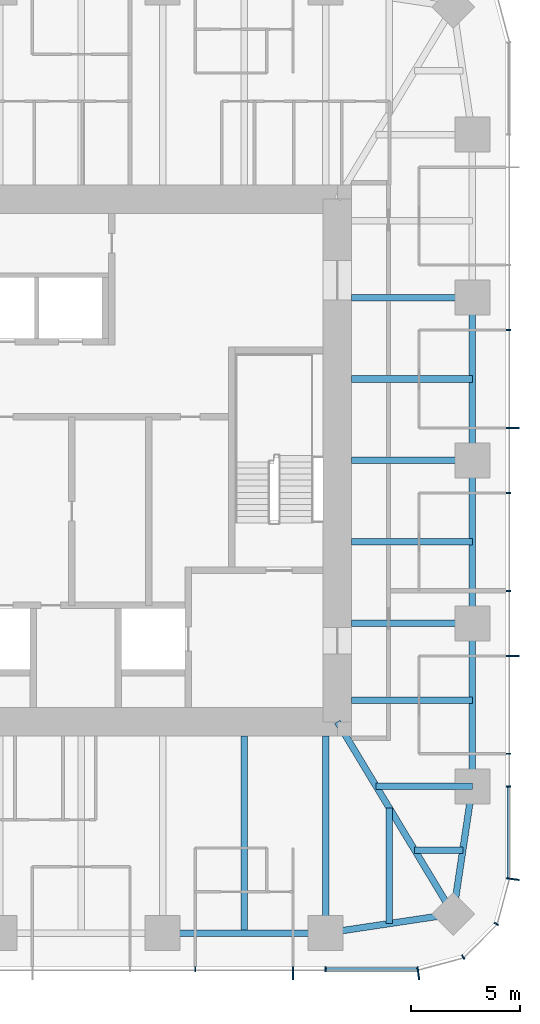
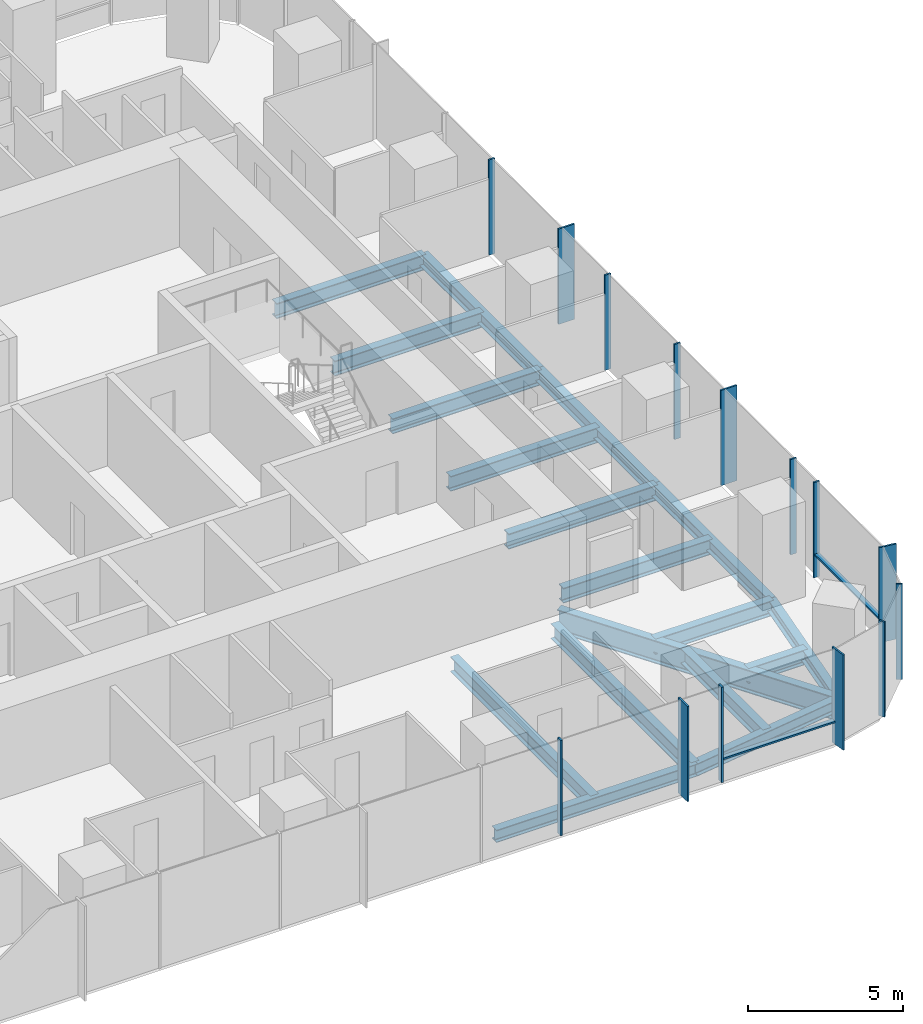
# One storey, part 4 of 12: 18 beams, 16 members, 3 elements without a shape of their own.
"""IFC4 building model written with IfcOpenShell, lengths in metres."""

import ifcopenshell
import ifcopenshell.guid

model = None  # the IFC model being written
_history = None  # IfcOwnerHistory: only IFC2X3 demands one
_inside = {}  # id of a spatial element -> (the spatial element, [elements in it])
_under = {}  # id of a project, library or spatial element -> (it, [spatial elements below it])
_declared = {}  # id of a project -> (the project, [libraries it declares])
_typed = {}  # id of a type object -> (the type object, [elements of that type])
_made_of = {}  # id of a material, layer set ... -> (it, [elements and type objects made of it])


def new_model(schema):
    """Start an empty IFC model of exactly this schema.

    Asked for "IFC4X3", IfcOpenShell would pick the latest addendum, in which some entities
    have other attributes; the version numbers below select the first issue.
    IFC2X3 requires an IfcOwnerHistory on every rooted entity: one is made here for all.
    """
    global model, _history
    if schema == "IFC4X3":
        model = ifcopenshell.file(schema_version=(4, 3, 0, 0))
    else:
        model = ifcopenshell.file(schema=schema)
    _inside.clear()
    _under.clear()
    _declared.clear()
    _typed.clear()
    _made_of.clear()
    _history = None
    if model.schema == "IFC2X3":
        org = make("IfcOrganization", Name="unknown")
        user = make(
            "IfcPersonAndOrganization",
            ThePerson=make("IfcPerson", FamilyName="unknown"),
            TheOrganization=org,
        )
        app = make(
            "IfcApplication",
            ApplicationDeveloper=org,
            Version="unknown",
            ApplicationFullName="unknown",
            ApplicationIdentifier="unknown",
        )
        _history = make(
            "IfcOwnerHistory",
            OwningUser=user,
            OwningApplication=app,
            ChangeAction="ADDED",
            CreationDate=0,
        )
    return model


def make(cls, **values):
    """One entity of the class cls with the attributes given. An attribute that is None is left unset."""
    return model.create_entity(
        cls, **{name: value for name, value in values.items() if value is not None}
    )


def rooted(cls, **values):
    """An entity with a GlobalId (a new one), such as an element, a storey or a relation."""
    return make(cls, GlobalId=ifcopenshell.guid.new(), OwnerHistory=_history, **values)


def si_unit(unit_type, name, prefix=None):
    """IfcSIUnit, for example si_unit("LENGTHUNIT", "METRE", prefix="MILLI")."""
    return make("IfcSIUnit", UnitType=unit_type, Prefix=prefix, Name=name)


def assignment(units):
    """IfcUnitAssignment: the units of a project."""
    return None if units is None else make("IfcUnitAssignment", Units=units)


def point(xyz):
    """IfcCartesianPoint."""
    return None if xyz is None else make("IfcCartesianPoint", Coordinates=xyz)


def direction(xyz):
    """IfcDirection."""
    return None if xyz is None else make("IfcDirection", DirectionRatios=xyz)


def frame(location, z_axis=None, x_axis=None):
    """IfcAxis2Placement3D, a coordinate frame: its origin and axes. An axis left out is left unset."""
    return make(
        "IfcAxis2Placement3D",
        Location=point(location),
        Axis=direction(z_axis),
        RefDirection=direction(x_axis),
    )


def frame_2d(location, x_axis=None):
    """IfcAxis2Placement2D, a coordinate frame in the plane: its origin and x axis."""
    return make(
        "IfcAxis2Placement2D", Location=point(location), RefDirection=direction(x_axis)
    )


def origin():
    """The frame at (0, 0, 0) with its axes left unset."""
    return frame((0.0, 0.0, 0.0))


def origin_2d():
    """The frame at (0, 0) in the plane with its x axis left unset."""
    return frame_2d((0.0, 0.0))


def place(relative_to, where):
    """IfcLocalPlacement: puts the frame where relative to a parent placement (None: the world)."""
    return make(
        "IfcLocalPlacement", PlacementRelTo=relative_to, RelativePlacement=where
    )


def context(
    kind, dimensions, precision=None, world=None, true_north=None, identifier=None
):
    """IfcGeometricRepresentationContext, for example the 3D "Model" context."""
    return make(
        "IfcGeometricRepresentationContext",
        ContextIdentifier=identifier,
        ContextType=kind,
        CoordinateSpaceDimension=dimensions,
        Precision=precision,
        WorldCoordinateSystem=world,
        TrueNorth=true_north,
    )


def subcontext(parent, identifier, kind, view, scale=None):
    """IfcGeometricRepresentationSubContext, for example "Body" below "Model"."""
    return make(
        "IfcGeometricRepresentationSubContext",
        ContextIdentifier=identifier,
        ContextType=kind,
        ParentContext=parent,
        TargetScale=scale,
        TargetView=view,
    )


def project(units=None, contexts=None):
    """IfcProject with its units and contexts."""
    return rooted(
        "IfcProject",
        Name="project",
        RepresentationContexts=contexts,
        UnitsInContext=assignment(units),
    )


def spatial(cls, under=None, at=None, **own):
    """A site, building, storey or space (cls), placed at a placement, below another one or the project."""
    s = rooted(cls, ObjectPlacement=at, **own)
    if under is not None:
        _under.setdefault(under.id(), (under, []))[1].append(s)
    return s


def profile(cls, at=None, kind="AREA", **sizes):
    """A parametric profile (cls). Its sizes go by their IFC names, for example OverallWidth=200.0."""
    return make(cls, ProfileType=kind, Position=at, **sizes)


def rectangle(**sizes):
    """IfcRectangleProfileDef."""
    return profile("IfcRectangleProfileDef", **sizes)


def i_section(**sizes):
    """IfcIShapeProfileDef."""
    return profile("IfcIShapeProfileDef", **sizes)


def extrude(swept, where, along, depth):
    """IfcExtrudedAreaSolid: the profile swept, set in the frame where, extruded along a direction by depth."""
    return make(
        "IfcExtrudedAreaSolid",
        SweptArea=swept,
        Position=where,
        ExtrudedDirection=direction(along),
        Depth=depth,
    )


def shape(context_of_items, identifier, shape_type, items):
    """IfcShapeRepresentation: the items that make up one representation, for example the "Body"."""
    return make(
        "IfcShapeRepresentation",
        ContextOfItems=context_of_items,
        RepresentationIdentifier=identifier,
        RepresentationType=shape_type,
        Items=items,
    )


def material(Name=None, Category=None):
    """IfcMaterial."""
    return make("IfcMaterial", Name=Name, Category=Category)


def material_profile(
    of_material, cross_section, Name=None, Category=None, Priority=None
):
    """IfcMaterialProfile: a cross section and its material."""
    return make(
        "IfcMaterialProfile",
        Name=Name,
        Material=of_material,
        Profile=cross_section,
        Priority=Priority,
        Category=Category,
    )


def profile_set(profiles, Name=None, composite=None):
    """IfcMaterialProfileSet."""
    return make(
        "IfcMaterialProfileSet",
        Name=Name,
        MaterialProfiles=profiles,
        CompositeProfile=composite,
    )


def made_of(thing, what):
    """Note that an element or type object is made of a material, layer set ...; save() writes the relation."""
    if what is not None:
        _made_of.setdefault(what.id(), (what, []))[1].append(thing)
    return thing


def type_object(cls, material=None, **own):
    """A type object (cls), such as IfcWallType, which elements share."""
    return made_of(rooted(cls, **own), material)


def element(
    cls,
    number,
    at=None,
    inside=None,
    cuts=None,
    type_object=None,
    material=None,
    context=None,
    identifier="Body",
    shape_type=None,
    held_by="IfcProductDefinitionShape",
    body=None,
    shapes=None,
    **own,
):
    """One element of the class cls, such as IfcWall. Its Tag is "e" and its number.

    at: its placement. inside: the storey or other place that contains it. cuts: it is an
    opening in that element (IfcRelVoidsElement). A single representation is given by context,
    identifier, shape_type and body (its items); several are given by shapes. held_by: the class
    of the entity that holds the representations. save() writes the other relations.
    """
    e = rooted(cls, Tag="e%d" % number, ObjectPlacement=at, **own)
    if body is not None:
        shapes = [shape(context, identifier, shape_type, body)]
    if shapes is not None:
        e.Representation = make(held_by, Representations=shapes)
    if inside is not None:
        _inside.setdefault(inside.id(), (inside, []))[1].append(e)
    if cuts is not None:
        rooted(
            "IfcRelVoidsElement", RelatingBuildingElement=cuts, RelatedOpeningElement=e
        )
    if type_object is not None:
        _typed.setdefault(type_object.id(), (type_object, []))[1].append(e)
    return made_of(e, material)


def aggregate(whole, parts):
    """IfcRelAggregates: a whole, such as a stair, and the parts it consists of."""
    return rooted("IfcRelAggregates", RelatingObject=whole, RelatedObjects=parts)


def save(model, path):
    """Write the relations noted so far, then the file.

    IfcRelAggregates (storeys below a building ...), IfcRelContainedInSpatialStructure (elements
    in a storey), IfcRelDefinesByType, IfcRelAssociatesMaterial and IfcRelDeclares: one each for
    every whole, place, type object, material and project.
    """
    for whole, parts in _under.values():
        aggregate(whole, parts)
    for where, things in _inside.values():
        rooted(
            "IfcRelContainedInSpatialStructure",
            RelatedElements=things,
            RelatingStructure=where,
        )
    for kind, things in _typed.values():
        rooted("IfcRelDefinesByType", RelatedObjects=things, RelatingType=kind)
    for what, things in _made_of.values():
        rooted("IfcRelAssociatesMaterial", RelatedObjects=things, RelatingMaterial=what)
    for by, libraries in _declared.values():
        rooted("IfcRelDeclares", RelatingContext=by, RelatedDefinitions=libraries)
    model.write(path)


model = new_model("IFC4")

# Units and contexts
model_context = context("Model", 3, precision=1e-05, world=origin(), true_north=direction((0.0, 1.0)))
body_context = subcontext(model_context, "Body", "Model", "MODEL_VIEW")
ifc_project = project(units=[si_unit("LENGTHUNIT", "METRE"), si_unit("AREAUNIT", "SQUARE_METRE"), si_unit("VOLUMEUNIT", "CUBIC_METRE"), si_unit("PLANEANGLEUNIT", "RADIAN"), si_unit("MASSUNIT", "GRAM", prefix="KILO")], contexts=[model_context])

# Site, building, storey
site_placement = place(None, origin())
site = spatial("IfcSite", under=ifc_project, at=site_placement, CompositionType="ELEMENT")
building_placement = place(site_placement, origin())
building = spatial("IfcBuilding", under=site, at=building_placement, Name="Khuree Lantern Residences", CompositionType="ELEMENT")
storey_placement = place(building_placement, frame((0.0, 0.0, 323.25)))
storey = spatial("IfcBuildingStorey", under=building, at=storey_placement, Name="L81", CompositionType="ELEMENT", Elevation=323.25)

# Beams
ifc_material_1 = material(Name="Steel S355", Category="steel")
ifc_material_profile_1 = material_profile(ifc_material_1, i_section(OverallWidth=0.300048828125, OverallDepth=0.590087890625, WebThickness=0.012939453125, FlangeThickness=0.02490234375, FilletRadius=0.027099609375, at=origin_2d()), Name="HE 600 A")
ifc_profile_set_1 = profile_set([ifc_material_profile_1], Name="Steel S355")
beam_type_1 = type_object("IfcBeamType", Name="B-43 SECONDARY BEAM HE 600 A", PredefinedType="BEAM", material=ifc_profile_set_1)
for number, where, z_axis, x_axis, name in (
    (1, (21.699951171875, 3.739990234375, -0.544921875), (-1.0, 0.0, 0.0), (0.0, -1.0, 0.0), "Secondary beam E3"),
    (2, (21.699951171875, -3.739990234375, -0.544921875), (-1.0, 0.0, 0.0), (0.0, -1.0, 0.0), "Secondary beam E4"),
    (3, (21.699951171875, -11.0, -0.544921875), (-1.0, 0.0, 0.0), (0.0, -1.0, 0.0), "Secondary beam E5"),
):
    element("IfcBeam", number, at=place(storey_placement, frame(where, z_axis=z_axis, x_axis=x_axis)), inside=storey, type_object=beam_type_1, Name=name, PredefinedType="BEAM", context=body_context, shape_type="SweptSolid", body=[
        extrude(i_section(OverallWidth=0.300048828125, OverallDepth=0.590087890625, WebThickness=0.012939453125, FlangeThickness=0.02490234375, FilletRadius=0.027099609375, at=origin_2d()), origin(), (0.0, 0.0, 1.0), 5.550048828125),
    ])
beam_1_placement = place(storey_placement, frame((21.2607421875, -17.890625, -0.544921875), z_axis=(-1.0, 0.0, 0.0), x_axis=(0.0, -1.0, 0.0)))
element("IfcBeam", 4, at=beam_1_placement, inside=storey, type_object=beam_type_1, Name="Secondary beam E6", PredefinedType="BEAM", context=body_context, shape_type="SweptSolid", body=[
    extrude(i_section(OverallWidth=0.300048828125, OverallDepth=0.590087890625, WebThickness=0.012939453125, FlangeThickness=0.02490234375, FilletRadius=0.027099609375, at=origin_2d()), origin(), (0.0, 0.0, 1.0), 2.207275390625),
])
beam_2_placement = place(storey_placement, frame((17.890625, -21.2607421875, -0.544921875), z_axis=(0.0, 1.0, 0.0), x_axis=(-1.0, 0.0, 0.0)))
element("IfcBeam", 5, at=beam_2_placement, inside=storey, type_object=beam_type_1, Name="Secondary beam S1", PredefinedType="BEAM", context=body_context, shape_type="SweptSolid", body=[
    extrude(i_section(OverallWidth=0.300048828125, OverallDepth=0.590087890625, WebThickness=0.012939453125, FlangeThickness=0.02490234375, FilletRadius=0.027099609375, at=origin_2d()), origin(), (0.0, 0.0, 1.0), 5.297607421875),
])
beam_3_placement = place(storey_placement, frame((11.219970703125, -21.699951171875, -0.544921875), z_axis=(0.0, 1.0, 0.0), x_axis=(-1.0, 0.0, 0.0)))
element("IfcBeam", 6, at=beam_3_placement, inside=storey, type_object=beam_type_1, Name="Secondary beam S2", PredefinedType="BEAM", context=body_context, shape_type="SweptSolid", body=[
    extrude(i_section(OverallWidth=0.300048828125, OverallDepth=0.590087890625, WebThickness=0.012939453125, FlangeThickness=0.02490234375, FilletRadius=0.027099609375, at=origin_2d()), origin(), (0.0, 0.0, 1.0), 9.050048828125),
])
ifc_material_profile_2 = material_profile(ifc_material_1, i_section(OverallWidth=0.300048828125, OverallDepth=0.489990234375, WebThickness=0.011962890625, FlangeThickness=0.02294921875, FilletRadius=0.027099609375, at=origin_2d()), Name="HE 500 A")
ifc_profile_set_2 = profile_set([ifc_material_profile_2], Name="Steel S355")
beam_type_2 = type_object("IfcBeamType", Name="E-43 SPANDREL BEAM HE 500 A", PredefinedType="SPANDREL", material=ifc_profile_set_2)
for number, where, z_axis, x_axis, name in (
    (7, (21.699951171875, 7.47998046875, -0.4951171875), (0.0, -1.0, 0.0), (1.0, 0.0, 0.0), "Spandrel beam E3"),
    (8, (21.699951171875, 0.0, -0.4951171875), (0.0, -1.0, 0.0), (1.0, 0.0, 0.0), "Spandrel beam E4"),
    (9, (21.699951171875, -7.47998046875, -0.4951171875), (0.0, -1.0, 0.0), (1.0, 0.0, 0.0), "Spandrel beam E5"),
):
    element("IfcBeam", number, at=place(storey_placement, frame(where, z_axis=z_axis, x_axis=x_axis)), inside=storey, type_object=beam_type_2, Name=name, PredefinedType="SPANDREL", context=body_context, shape_type="SweptSolid", body=[
        extrude(i_section(OverallWidth=0.300048828125, OverallDepth=0.489990234375, WebThickness=0.011962890625, FlangeThickness=0.02294921875, FilletRadius=0.027099609375, at=origin_2d()), origin(), (0.0, 0.0, 1.0), 7.47998046875),
    ])
for number, where, z_axis, x_axis, name in (
    (10, (21.699951171875, -14.9599609375, -0.4951171875), (-0.148251822985, -0.988949643299, 0.0), (0.988949643299, -0.148251822985, 0.0), "Spandrel beam E6"),
    (11, (20.8212890625, -20.8212890625, -0.4951171875), (-0.988949643299, -0.148251822985, 0.0), (0.148251822985, -0.988949643299, 0.0), "Spandrel beam S1"),
):
    element("IfcBeam", number, at=place(storey_placement, frame(where, z_axis=z_axis, x_axis=x_axis)), inside=storey, type_object=beam_type_2, Name=name, PredefinedType="SPANDREL", context=body_context, shape_type="SweptSolid", body=[
        extrude(i_section(OverallWidth=0.300048828125, OverallDepth=0.489990234375, WebThickness=0.011962890625, FlangeThickness=0.02294921875, FilletRadius=0.027099609375, at=origin_2d()), origin(), (0.0, 0.0, 1.0), 5.9267578125),
    ])
beam_4_placement = place(storey_placement, frame((14.9599609375, -21.699951171875, -0.4951171875), z_axis=(-1.0, 0.0, 0.0), x_axis=(0.0, -1.0, 0.0)))
element("IfcBeam", 12, at=beam_4_placement, inside=storey, type_object=beam_type_2, Name="Spandrel beam S2", PredefinedType="SPANDREL", context=body_context, shape_type="SweptSolid", body=[
    extrude(i_section(OverallWidth=0.300048828125, OverallDepth=0.489990234375, WebThickness=0.011962890625, FlangeThickness=0.02294921875, FilletRadius=0.027099609375, at=origin_2d()), origin(), (0.0, 0.0, 1.0), 7.47998046875),
])

# Curtain wall, member
ifc_material_2 = material(Name="Bronze anodised aluminium", Category="aluminium")
curtain_wall_type_1 = type_object("IfcCurtainWallType", Name="CW-T2 TOWER CORNER CURTAIN WALL", PredefinedType="USERDEFINED", material=ifc_material_2)
curtain_wall_1_placement = place(storey_placement, origin())
curtain_wall_1 = element("IfcCurtainWall", 13, at=curtain_wall_1_placement, inside=storey, type_object=curtain_wall_type_1, Name="L81 SOUTH-EAST CORNER CURTAIN WALL", ObjectType="Faceted corner curtain wall", PredefinedType="USERDEFINED")
ifc_material_profile_3 = material_profile(ifc_material_2, rectangle(XDim=0.06494140625, YDim=0.60009765625, at=origin_2d()), Name="F1 65X600")
ifc_profile_set_3 = profile_set([ifc_material_profile_3], Name="Bronze anodised aluminium")
member_type_1 = type_object("IfcMemberType", Name="F1 BRONZE FIN MULLION TOWER 65X600", PredefinedType="MULLION", material=ifc_profile_set_3)
member_1_placement = place(storey_placement, frame((19.2197265625, -23.550048828125, 0.0), z_axis=(0.0, 0.0, 1.0), x_axis=(0.991444870192, 0.130526125236, 0.0)))
member_1 = element("IfcMember", 14, at=member_1_placement, type_object=member_type_1, Name="L81 SOUTH-EAST CORNER FIN MULLION 1", PredefinedType="MULLION", context=body_context, shape_type="SweptSolid", body=[
    extrude(rectangle(XDim=0.06494140625, YDim=0.60009765625, at=origin_2d()), origin(), (0.0, 0.0, 1.0), 3.75),
])

# Curtain wall, members
curtain_wall_type_2 = type_object("IfcCurtainWallType", Name="CW-T1 TOWER FACE CURTAIN WALL", PredefinedType="USERDEFINED", material=ifc_material_2)
curtain_wall_2_placement = place(storey_placement, origin())
curtain_wall_2 = element("IfcCurtainWall", 15, at=curtain_wall_2_placement, inside=storey, type_object=curtain_wall_type_2, Name="L81 EAST FACE CURTAIN WALL", ObjectType="Stick-built curtain wall", PredefinedType="USERDEFINED")
member_2_placement = place(storey_placement, frame((23.550048828125, -19.2197265625, 0.0), z_axis=(0.0, 0.0, 1.0), x_axis=(0.130526125236, 0.991444870192, 0.0)))
member_2 = element("IfcMember", 16, at=member_2_placement, type_object=member_type_1, Name="L81 EAST FACE FIN MULLION 4", PredefinedType="MULLION", context=body_context, shape_type="SweptSolid", body=[
    extrude(rectangle(XDim=0.06494140625, YDim=0.60009765625, at=origin_2d()), origin(), (0.0, 0.0, 1.0), 3.75),
])
member_3_placement = place(storey_placement, frame((23.550048828125, -8.97607421875, 0.0), z_axis=(0.0, 0.0, 1.0), x_axis=(0.0, 1.0, 0.0)))
member_3 = element("IfcMember", 17, at=member_3_placement, type_object=member_type_1, Name="L81 EAST FACE FIN MULLION 7", PredefinedType="MULLION", context=body_context, shape_type="SweptSolid", body=[
    extrude(rectangle(XDim=0.06494140625, YDim=0.60009765625, at=origin_2d()), origin(), (0.0, 0.0, 1.0), 3.75),
])
member_4_placement = place(storey_placement, frame((23.550048828125, 1.49609375, 0.0), z_axis=(0.0, 0.0, 1.0), x_axis=(0.0, 1.0, 0.0)))
member_4 = element("IfcMember", 18, at=member_4_placement, type_object=member_type_1, Name="L81 EAST FACE FIN MULLION 10", PredefinedType="MULLION", context=body_context, shape_type="SweptSolid", body=[
    extrude(rectangle(XDim=0.06494140625, YDim=0.60009765625, at=origin_2d()), origin(), (0.0, 0.0, 1.0), 3.75),
])

# Curtain wall, member
curtain_wall_3_placement = place(storey_placement, origin())
curtain_wall_3 = element("IfcCurtainWall", 19, at=curtain_wall_3_placement, inside=storey, type_object=curtain_wall_type_2, Name="L81 SOUTH FACE CURTAIN WALL", ObjectType="Stick-built curtain wall", PredefinedType="USERDEFINED")
member_5_placement = place(storey_placement, frame((13.464111328125, -23.550048828125, 0.0), z_axis=(0.0, 0.0, 1.0), x_axis=(1.0, 0.0, 0.0)))
member_5 = element("IfcMember", 20, at=member_5_placement, type_object=member_type_1, Name="L81 SOUTH FACE FIN MULLION 55", PredefinedType="MULLION", context=body_context, shape_type="SweptSolid", body=[
    extrude(rectangle(XDim=0.06494140625, YDim=0.60009765625, at=origin_2d()), origin(), (0.0, 0.0, 1.0), 3.75),
])

# Beams
ifc_material_profile_4 = material_profile(ifc_material_1, i_section(OverallWidth=0.300048828125, OverallDepth=0.60009765625, WebThickness=0.015380859375, FlangeThickness=0.030029296875, FilletRadius=0.027099609375, at=origin_2d()), Name="HE 600 B")
ifc_profile_set_4 = profile_set([ifc_material_profile_4], Name="Steel S355")
beam_type_3 = type_object("IfcBeamType", Name="G-43 GIRDER HE 600 B", PredefinedType="BEAM", material=ifc_profile_set_4)
for number, where, z_axis, x_axis, name in (
    (21, (21.699951171875, 7.47998046875, -0.550048828125), (-1.0, 0.0, 0.0), (0.0, -1.0, 0.0), "Girder E2"),
    (22, (21.699951171875, 0.0, -0.550048828125), (-1.0, 0.0, 0.0), (0.0, -1.0, 0.0), "Girder E3"),
    (23, (21.699951171875, -7.47998046875, -0.550048828125), (-1.0, 0.0, 0.0), (0.0, -1.0, 0.0), "Girder E4"),
):
    element("IfcBeam", number, at=place(storey_placement, frame(where, z_axis=z_axis, x_axis=x_axis)), inside=storey, type_object=beam_type_3, Name=name, PredefinedType="BEAM", context=body_context, shape_type="SweptSolid", body=[
        extrude(i_section(OverallWidth=0.300048828125, OverallDepth=0.60009765625, WebThickness=0.015380859375, FlangeThickness=0.030029296875, FilletRadius=0.027099609375, at=origin_2d()), origin(), (0.0, 0.0, 1.0), 5.550048828125),
    ])
beam_5_placement = place(storey_placement, frame((21.699951171875, -14.9599609375, -0.550048828125), z_axis=(-1.0, 0.0, 0.0), x_axis=(0.0, -1.0, 0.0)))
element("IfcBeam", 24, at=beam_5_placement, inside=storey, type_object=beam_type_3, Name="Girder E5", PredefinedType="BEAM", context=body_context, shape_type="SweptSolid", body=[
    extrude(i_section(OverallWidth=0.300048828125, OverallDepth=0.60009765625, WebThickness=0.015380859375, FlangeThickness=0.030029296875, FilletRadius=0.027099609375, at=origin_2d()), origin(), (0.0, 0.0, 1.0), 4.414306640625),
])
beam_6_placement = place(storey_placement, frame((14.9599609375, -21.699951171875, -0.550048828125), z_axis=(0.0, 1.0, 0.0), x_axis=(-1.0, 0.0, 0.0)))
element("IfcBeam", 25, at=beam_6_placement, inside=storey, type_object=beam_type_3, Name="Girder S1", PredefinedType="BEAM", context=body_context, shape_type="SweptSolid", body=[
    extrude(i_section(OverallWidth=0.300048828125, OverallDepth=0.60009765625, WebThickness=0.015380859375, FlangeThickness=0.030029296875, FilletRadius=0.027099609375, at=origin_2d()), origin(), (0.0, 0.0, 1.0), 9.050048828125),
])
ifc_material_profile_5 = material_profile(ifc_material_1, i_section(OverallWidth=0.300048828125, OverallDepth=0.89990234375, WebThickness=0.0185546875, FlangeThickness=0.034912109375, FilletRadius=0.030029296875, at=origin_2d()), Name="HE 900 B")
ifc_profile_set_5 = profile_set([ifc_material_profile_5], Name="Steel S355")
beam_type_4 = type_object("IfcBeamType", Name="GD-43 CORNER GIRDER HE 900 B", PredefinedType="BEAM", material=ifc_profile_set_5)
beam_7_placement = place(storey_placement, frame((20.8212890625, -20.8212890625, -0.699951171875), z_axis=(-0.516529577604, 0.856269347495, 0.0), x_axis=(-0.856269347495, -0.516529577604, 0.0)))
element("IfcBeam", 26, at=beam_7_placement, inside=storey, type_object=beam_type_4, Name="Corner girder SE", PredefinedType="BEAM", context=body_context, shape_type="SweptSolid", body=[
    extrude(i_section(OverallWidth=0.300048828125, OverallDepth=0.89990234375, WebThickness=0.0185546875, FlangeThickness=0.034912109375, FilletRadius=0.030029296875, at=origin_2d()), origin(), (0.0, 0.0, 1.0), 10.302001953125),
])

# Member
ifc_material_profile_6 = material_profile(ifc_material_2, rectangle(XDim=0.06494140625, YDim=0.219970703125, at=origin_2d()), Name="M1 65X220")
ifc_profile_set_6 = profile_set([ifc_material_profile_6], Name="Bronze anodised aluminium")
member_type_2 = type_object("IfcMemberType", Name="M1 BRONZE MULLION TOWER 65X220", PredefinedType="MULLION", material=ifc_profile_set_6)
member_6_placement = place(storey_placement, frame((21.280029296875, -22.802734375, 0.0), z_axis=(0.0, 0.0, 1.0), x_axis=(0.866025437565, 0.49999994149, 0.0)))
member_6 = element("IfcMember", 27, at=member_6_placement, type_object=member_type_2, Name="L81 SOUTH-EAST CORNER MULLION 2", PredefinedType="MULLION", context=body_context, shape_type="SweptSolid", body=[
    extrude(rectangle(XDim=0.06494140625, YDim=0.219970703125, at=origin_2d()), origin(), (0.0, 0.0, 1.0), 3.75),
])

member_7_placement = place(storey_placement, frame((22.802734375, -21.280029296875, 0.0), z_axis=(0.0, 0.0, 1.0), x_axis=(0.49999994149, 0.866025437565, 0.0)))
member_7 = element("IfcMember", 28, at=member_7_placement, type_object=member_type_2, Name="L81 SOUTH-EAST CORNER MULLION 3", PredefinedType="MULLION", context=body_context, shape_type="SweptSolid", body=[
    extrude(rectangle(XDim=0.06494140625, YDim=0.219970703125, at=origin_2d()), origin(), (0.0, 0.0, 1.0), 3.75),
])

aggregate(curtain_wall_1, [member_1, member_6, member_7])

member_8_placement = place(storey_placement, frame((23.360107421875, -14.9599609375, 0.0), z_axis=(0.0, 0.0, 1.0), x_axis=(0.0, 1.0, 0.0)))
member_8 = element("IfcMember", 29, at=member_8_placement, type_object=member_type_2, Name="L81 EAST FACE MULLION 5", PredefinedType="MULLION", context=body_context, shape_type="SweptSolid", body=[
    extrude(rectangle(XDim=0.06494140625, YDim=0.219970703125, at=origin_2d()), origin(), (0.0, 0.0, 1.0), 3.75),
])

member_9_placement = place(storey_placement, frame((23.360107421875, -13.464111328125, 0.0), z_axis=(0.0, 0.0, 1.0), x_axis=(0.0, 1.0, 0.0)))
member_9 = element("IfcMember", 30, at=member_9_placement, type_object=member_type_2, Name="L81 EAST FACE MULLION 6", PredefinedType="MULLION", context=body_context, shape_type="SweptSolid", body=[
    extrude(rectangle(XDim=0.06494140625, YDim=0.219970703125, at=origin_2d()), origin(), (0.0, 0.0, 1.0), 3.75),
])

member_10_placement = place(storey_placement, frame((23.360107421875, -5.98388671875, 0.0), z_axis=(0.0, 0.0, 1.0), x_axis=(0.0, 1.0, 0.0)))
member_10 = element("IfcMember", 31, at=member_10_placement, type_object=member_type_2, Name="L81 EAST FACE MULLION 8", PredefinedType="MULLION", context=body_context, shape_type="SweptSolid", body=[
    extrude(rectangle(XDim=0.06494140625, YDim=0.219970703125, at=origin_2d()), origin(), (0.0, 0.0, 1.0), 3.75),
])

member_11_placement = place(storey_placement, frame((23.360107421875, -1.49609375, 0.0), z_axis=(0.0, 0.0, 1.0), x_axis=(0.0, 1.0, 0.0)))
member_11 = element("IfcMember", 32, at=member_11_placement, type_object=member_type_2, Name="L81 EAST FACE MULLION 9", PredefinedType="MULLION", context=body_context, shape_type="SweptSolid", body=[
    extrude(rectangle(XDim=0.06494140625, YDim=0.219970703125, at=origin_2d()), origin(), (0.0, 0.0, 1.0), 3.75),
])

member_12_placement = place(storey_placement, frame((23.360107421875, 5.98388671875, 0.0), z_axis=(0.0, 0.0, 1.0), x_axis=(0.0, 1.0, 0.0)))
member_12 = element("IfcMember", 33, at=member_12_placement, type_object=member_type_2, Name="L81 EAST FACE MULLION 11", PredefinedType="MULLION", context=body_context, shape_type="SweptSolid", body=[
    extrude(rectangle(XDim=0.06494140625, YDim=0.219970703125, at=origin_2d()), origin(), (0.0, 0.0, 1.0), 3.75),
])

member_13_placement = place(storey_placement, frame((8.97607421875, -23.360107421875, 0.0), z_axis=(0.0, 0.0, 1.0), x_axis=(1.0, 0.0, 0.0)))
member_13 = element("IfcMember", 34, at=member_13_placement, type_object=member_type_2, Name="L81 SOUTH FACE MULLION 54", PredefinedType="MULLION", context=body_context, shape_type="SweptSolid", body=[
    extrude(rectangle(XDim=0.06494140625, YDim=0.219970703125, at=origin_2d()), origin(), (0.0, 0.0, 1.0), 3.75),
])

member_14_placement = place(storey_placement, frame((14.9599609375, -23.360107421875, 0.0), z_axis=(0.0, 0.0, 1.0), x_axis=(1.0, 0.0, 0.0)))
member_14 = element("IfcMember", 35, at=member_14_placement, type_object=member_type_2, Name="L81 SOUTH FACE MULLION 56", PredefinedType="MULLION", context=body_context, shape_type="SweptSolid", body=[
    extrude(rectangle(XDim=0.06494140625, YDim=0.219970703125, at=origin_2d()), origin(), (0.0, 0.0, 1.0), 3.75),
])

ifc_material_profile_7 = material_profile(ifc_material_2, rectangle(XDim=0.179931640625, YDim=0.06494140625, at=origin_2d()), Name="T1 180X65")
ifc_profile_set_7 = profile_set([ifc_material_profile_7], Name="Bronze anodised aluminium")
member_type_3 = type_object("IfcMemberType", Name="TRANSOM T1 TOWER 180X65", PredefinedType="USERDEFINED", material=ifc_profile_set_7)
member_15_placement = place(storey_placement, frame((23.3701171875, -19.1513671875, 0.89990234375), z_axis=(0.0, 1.0, 0.0), x_axis=(-1.0, 0.0, 0.0)))
member_15 = element("IfcMember", 36, at=member_15_placement, type_object=member_type_3, Name="L81 EAST FACE TRANSOM 4.1", ObjectType="Transom", PredefinedType="USERDEFINED", context=body_context, shape_type="SweptSolid", body=[
    extrude(rectangle(XDim=0.179931640625, YDim=0.06494140625, at=origin_2d()), origin(), (0.0, 0.0, 1.0), 4.158935546875),
])

aggregate(curtain_wall_2, [member_2, member_8, member_9, member_3, member_10, member_11, member_4, member_12, member_15])

member_16_placement = place(storey_placement, frame((14.992431640625, -23.3701171875, 0.89990234375), z_axis=(1.0, 0.0, 0.0), x_axis=(0.0, 1.0, 0.0)))
member_16 = element("IfcMember", 37, at=member_16_placement, type_object=member_type_3, Name="L81 SOUTH FACE TRANSOM 56.1", ObjectType="Transom", PredefinedType="USERDEFINED", context=body_context, shape_type="SweptSolid", body=[
    extrude(rectangle(XDim=0.179931640625, YDim=0.06494140625, at=origin_2d()), origin(), (0.0, 0.0, 1.0), 4.158935546875),
])

aggregate(curtain_wall_3, [member_13, member_5, member_14, member_16])

save(model, "model.ifc")
